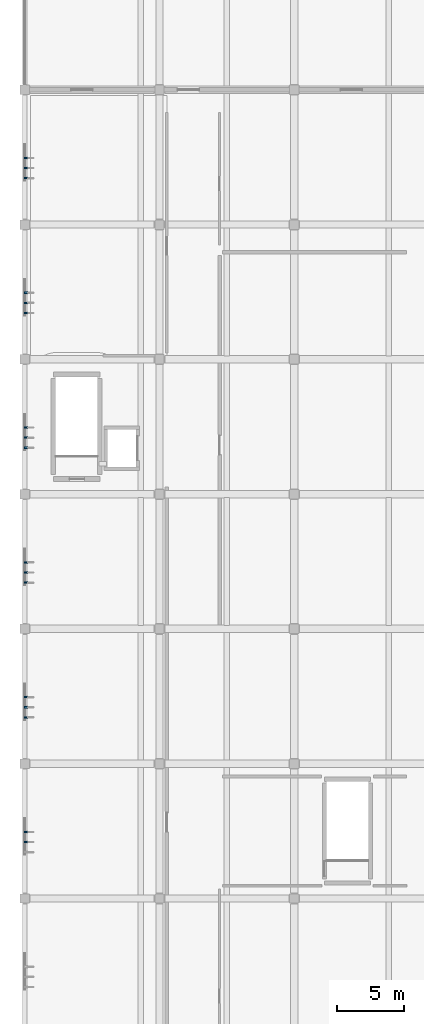
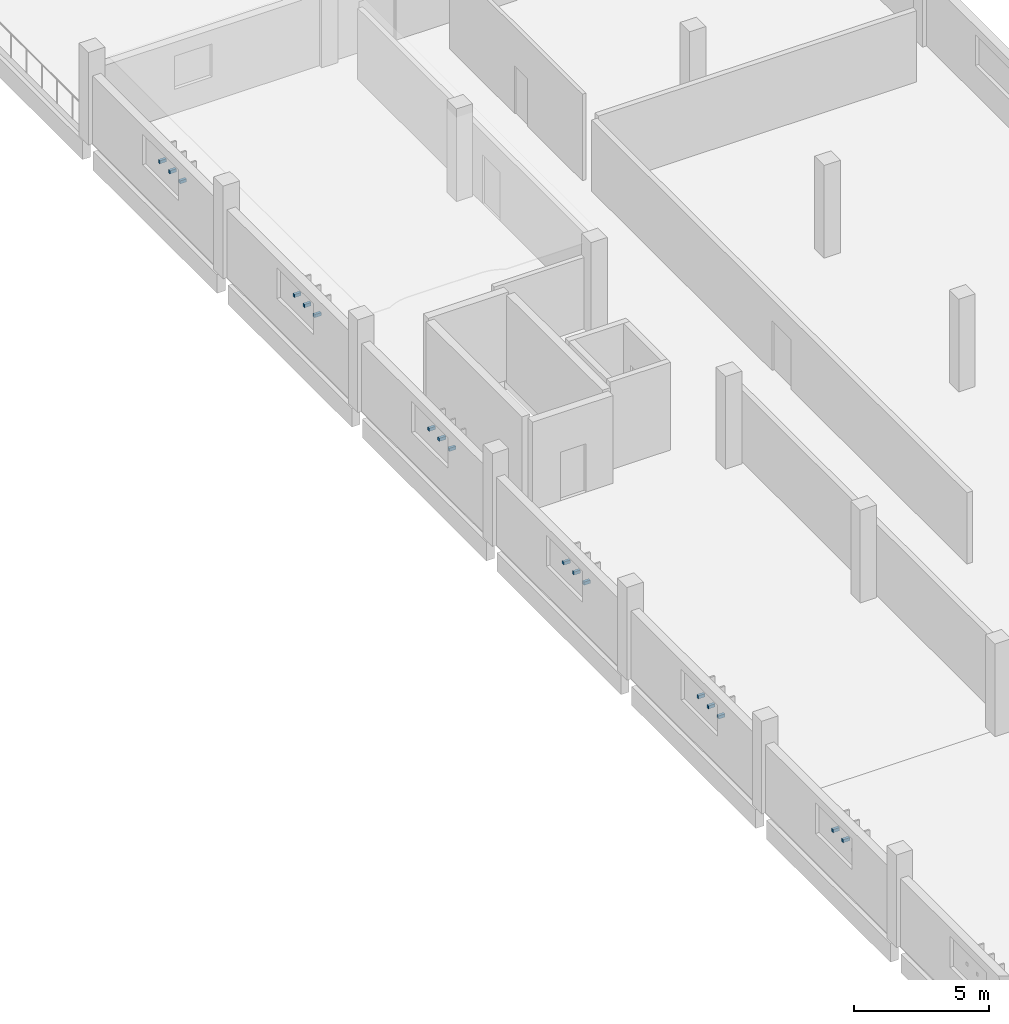
# One storey, part 112 of 142: 17 discrete accessories.
"""IFC4 building model written with IfcOpenShell, lengths in metres."""

from ifc_helpers import new_model, si_unit, direction, frame, origin, origin_2d, place, context, subcontext, project, spatial, rectangle, extrude, material, type_object, element, save


model = new_model("IFC4")

# Units and contexts
model_context = context("Model", 3, precision=1e-05, world=origin(), true_north=direction((0.0, 1.0)))
body_context = subcontext(model_context, "Body", "Model", "MODEL_VIEW")
ifc_project = project(units=[si_unit("LENGTHUNIT", "METRE"), si_unit("AREAUNIT", "SQUARE_METRE"), si_unit("VOLUMEUNIT", "CUBIC_METRE"), si_unit("PLANEANGLEUNIT", "RADIAN"), si_unit("MASSUNIT", "GRAM", prefix="KILO")], contexts=[model_context])

# Site, building, storey
site_placement = place(None, origin())
site = spatial("IfcSite", under=ifc_project, at=site_placement, CompositionType="ELEMENT")
building_placement = place(site_placement, origin())
building = spatial("IfcBuilding", under=site, at=building_placement, Name="Corvandel Quay Wholesale Market", CompositionType="ELEMENT")
storey_placement = place(building_placement, frame((0.0, 0.0, 10.800048828125)))
storey = spatial("IfcBuildingStorey", under=building, at=storey_placement, Name="L02", CompositionType="ELEMENT", Elevation=10.800048828125)

# Discrete accessories
ifc_material = material(Name="Austenitic stainless steel Grade 316", Category="steel")
discrete_accessory_type = type_object("IfcDiscreteAccessoryType", Name="Stainless Solar Fin Fixing Bracket BRK01", PredefinedType="USERDEFINED", material=ifc_material)
for number, where, z_axis, x_axis, name in (
    (1, (20.10009765625, 64.18994140625, 1.93017578125), (0.0, 0.0, 1.0), (1.0, 0.0, 0.0), "Fin Bracket 0709"),
    (2, (20.10009765625, 64.93994140625, 1.93017578125), (0.0, 0.0, 1.0), (1.0, 0.0, 0.0), "Fin Bracket 0710"),
    (3, (20.10009765625, 73.43994140625, 1.93017578125), (0.0, 0.0, 1.0), (1.0, 0.0, 0.0), "Fin Bracket 0713"),
    (4, (20.10009765625, 74.18994140625, 1.93017578125), (0.0, 0.0, 1.0), (1.0, 0.0, 0.0), "Fin Bracket 0714"),
    (5, (20.10009765625, 74.93994140625, 1.93017578125), (0.0, 0.0, 1.0), (1.0, 0.0, 0.0), "Fin Bracket 0715"),
    (6, (20.10009765625, 83.43994140625, 1.93017578125), (0.0, 0.0, 1.0), (1.0, 0.0, 0.0), "Fin Bracket 0718"),
    (7, (20.10009765625, 84.18994140625, 1.93017578125), (0.0, 0.0, 1.0), (1.0, 0.0, 0.0), "Fin Bracket 0719"),
    (8, (20.10009765625, 84.93994140625, 1.93017578125), (0.0, 0.0, 1.0), (1.0, 0.0, 0.0), "Fin Bracket 0720"),
    (9, (20.10009765625, 93.43994140625, 1.93017578125), (0.0, 0.0, 1.0), (1.0, 0.0, 0.0), "Fin Bracket 0723"),
    (10, (20.10009765625, 94.18994140625, 1.93017578125), (0.0, 0.0, 1.0), (1.0, 0.0, 0.0), "Fin Bracket 0724"),
    (11, (20.10009765625, 94.93994140625, 1.93017578125), (0.0, 0.0, 1.0), (1.0, 0.0, 0.0), "Fin Bracket 0725"),
    (12, (20.10009765625, 103.43994140625, 1.93017578125), (0.0, 0.0, 1.0), (1.0, 0.0, 0.0), "Fin Bracket 0728"),
    (13, (20.10009765625, 104.18994140625, 1.93017578125), (0.0, 0.0, 1.0), (1.0, 0.0, 0.0), "Fin Bracket 0729"),
    (14, (20.10009765625, 104.93994140625, 1.93017578125), (0.0, 0.0, 1.0), (1.0, 0.0, 0.0), "Fin Bracket 0730"),
    (15, (20.10009765625, 113.43994140625, 1.93017578125), (0.0, 0.0, 1.0), (1.0, 0.0, 0.0), "Fin Bracket 0733"),
    (16, (20.10009765625, 114.18994140625, 1.93017578125), (0.0, 0.0, 1.0), (1.0, 0.0, 0.0), "Fin Bracket 0734"),
    (17, (20.10009765625, 114.93994140625, 1.93017578125), (0.0, 0.0, 1.0), (1.0, 0.0, 0.0), "Fin Bracket 0735"),
):
    element("IfcDiscreteAccessory", number, at=place(storey_placement, frame(where, z_axis=z_axis, x_axis=x_axis)), inside=storey, type_object=discrete_accessory_type, Name=name, ObjectType="BRACKET", PredefinedType="USERDEFINED", context=body_context, shape_type="SweptSolid", body=[
        extrude(rectangle(XDim=0.280029296875, YDim=0.1201171875, at=origin_2d()), origin(), (0.0, 0.0, 1.0), 0.139892578125),
    ])

save(model, "model.ifc")
